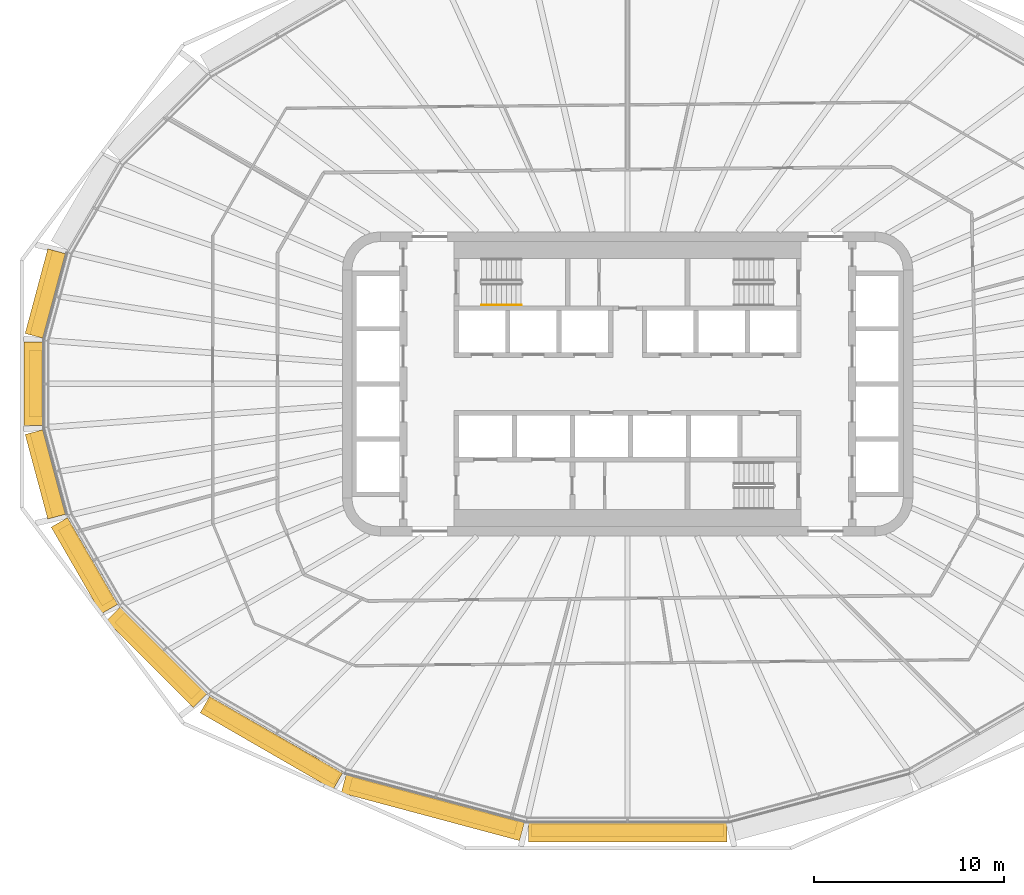
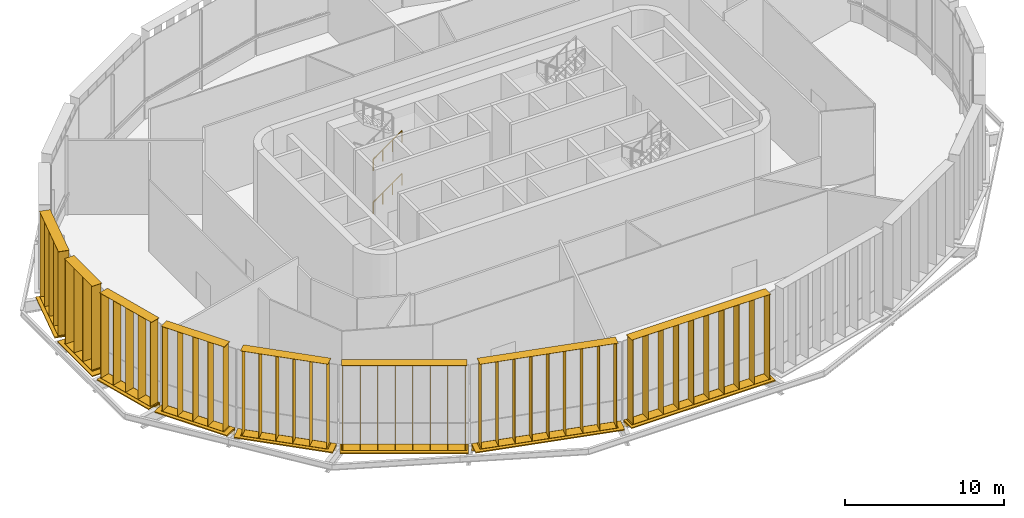
# One storey, part 14 of 18: 16 shading devices, 2 railings.
"""IFC4 building model written with IfcOpenShell, lengths in metres."""

from ifc_helpers import new_model, si_unit, direction, frame, origin, origin_2d, place, context, subcontext, project, spatial, rectangle, circle, extrude, material, type_object, element, save


model = new_model("IFC4")

# Units and contexts
model_context = context("Model", 3, precision=1e-05, world=origin(), true_north=direction((0.0, 1.0)))
body_context = subcontext(model_context, "Body", "Model", "MODEL_VIEW")
ifc_project = project(units=[si_unit("LENGTHUNIT", "METRE"), si_unit("AREAUNIT", "SQUARE_METRE"), si_unit("VOLUMEUNIT", "CUBIC_METRE"), si_unit("PLANEANGLEUNIT", "RADIAN"), si_unit("MASSUNIT", "GRAM", prefix="KILO")], contexts=[model_context])

# Site, building, storey
site_placement = place(None, origin())
site = spatial("IfcSite", under=ifc_project, at=site_placement, CompositionType="ELEMENT")
building_placement = place(site_placement, origin())
building = spatial("IfcBuilding", under=site, at=building_placement, Name="Sahrelin Media Tower", CompositionType="ELEMENT")
storey_placement = place(building_placement, frame((0.0, 0.0, 203.0)))
storey = spatial("IfcBuildingStorey", under=building, at=storey_placement, Name="L43", CompositionType="ELEMENT", Elevation=203.0)

# Shading devices
ifc_material_1 = material(Name="Champagne anodised aluminium 6063-T6", Category="aluminium")
shading_device_type_1 = type_object("IfcShadingDeviceType", Name="Fin cassette", PredefinedType="USERDEFINED", material=ifc_material_1)
placement_1 = place(storey_placement, frame((-30.091796875, 4.613525390625, 0.0), z_axis=(0.0, 0.0, 1.0), x_axis=(0.258807731996, 0.965928857556, 0.0)))
element("IfcShadingDevice", 1, at=placement_1, inside=storey, type_object=shading_device_type_1, Name="L43:FIN:L43-11", ObjectType="FIN", PredefinedType="USERDEFINED", context=body_context, shape_type="SweptSolid", body=[
    extrude(rectangle(XDim=4.60009765625, YDim=0.699951171875, at=origin_2d()), frame((0.0, 0.419921875, 0.0)), (0.0, 0.0, 1.0), 0.02001953125),
    extrude(rectangle(XDim=4.60009765625, YDim=0.699951171875, at=origin_2d()), frame((0.0, 0.419921875, 6.5)), (0.0, 0.0, 1.0), 0.02001953125),
    extrude(rectangle(XDim=0.02001953125, YDim=0.699951171875, at=origin_2d()), frame((-2.199951171875, 0.419921875, 0.010009765625), z_axis=(0.0, 0.0, 1.0), x_axis=(1.0, 0.0, 0.0)), (0.0, 0.0, 1.0), 6.5),
    extrude(rectangle(XDim=0.02001953125, YDim=0.699951171875, at=origin_2d()), frame((-1.10009765625, 0.419921875, 0.010009765625), z_axis=(0.0, 0.0, 1.0), x_axis=(1.0, 0.0, 0.0)), (0.0, 0.0, 1.0), 6.5),
    extrude(rectangle(XDim=0.02001953125, YDim=0.699951171875, at=origin_2d()), frame((0.0, 0.419921875, 0.010009765625), z_axis=(0.0, 0.0, 1.0), x_axis=(1.0, 0.0, 0.0)), (0.0, 0.0, 1.0), 6.5),
    extrude(rectangle(XDim=0.02001953125, YDim=0.699951171875, at=origin_2d()), frame((1.10009765625, 0.419921875, 0.010009765625), z_axis=(0.0, 0.0, 1.0), x_axis=(1.0, 0.0, 0.0)), (0.0, 0.0, 1.0), 6.5),
    extrude(rectangle(XDim=0.02001953125, YDim=0.699951171875, at=origin_2d()), frame((2.199951171875, 0.419921875, 0.010009765625), z_axis=(0.0, 0.0, 1.0), x_axis=(1.0, 0.0, 0.0)), (0.0, 0.0, 1.0), 6.5),
])
placement_2 = place(storey_placement, frame((-30.712890625, 0.0, 0.0), z_axis=(0.0, 0.0, 1.0), x_axis=(0.0, 1.0, 0.0)))
element("IfcShadingDevice", 2, at=placement_2, inside=storey, type_object=shading_device_type_1, Name="L43:FIN:L43-12", ObjectType="FIN", PredefinedType="USERDEFINED", context=body_context, shape_type="SweptSolid", body=[
    extrude(rectangle(XDim=3.5, YDim=0.699951171875, at=origin_2d()), frame((0.0, 0.419921875, 0.0)), (0.0, 0.0, 1.0), 0.02001953125),
    extrude(rectangle(XDim=3.5, YDim=0.699951171875, at=origin_2d()), frame((0.0, 0.419921875, 6.5)), (0.0, 0.0, 1.0), 0.02001953125),
    extrude(rectangle(XDim=0.02001953125, YDim=0.699951171875, at=origin_2d()), frame((-1.64990234375, 0.419921875, 0.010009765625), z_axis=(0.0, 0.0, 1.0), x_axis=(1.0, 0.0, 0.0)), (0.0, 0.0, 1.0), 6.5),
    extrude(rectangle(XDim=0.02001953125, YDim=0.699951171875, at=origin_2d()), frame((-0.550048828125, 0.419921875, 0.010009765625), z_axis=(0.0, 0.0, 1.0), x_axis=(1.0, 0.0, 0.0)), (0.0, 0.0, 1.0), 6.5),
    extrude(rectangle(XDim=0.02001953125, YDim=0.699951171875, at=origin_2d()), frame((0.550048828125, 0.419921875, 0.010009765625), z_axis=(0.0, 0.0, 1.0), x_axis=(1.0, 0.0, 0.0)), (0.0, 0.0, 1.0), 6.5),
    extrude(rectangle(XDim=0.02001953125, YDim=0.699951171875, at=origin_2d()), frame((1.64990234375, 0.419921875, 0.010009765625), z_axis=(0.0, 0.0, 1.0), x_axis=(1.0, 0.0, 0.0)), (0.0, 0.0, 1.0), 6.5),
])
placement_3 = place(storey_placement, frame((-30.091796875, -4.613525390625, 0.0), z_axis=(0.0, 0.0, 1.0), x_axis=(-0.258807731996, 0.965928857556, 0.0)))
element("IfcShadingDevice", 3, at=placement_3, inside=storey, type_object=shading_device_type_1, Name="L43:FIN:L43-13", ObjectType="FIN", PredefinedType="USERDEFINED", context=body_context, shape_type="SweptSolid", body=[
    extrude(rectangle(XDim=4.60009765625, YDim=0.699951171875, at=origin_2d()), frame((0.0, 0.419921875, 0.0)), (0.0, 0.0, 1.0), 0.02001953125),
    extrude(rectangle(XDim=4.60009765625, YDim=0.699951171875, at=origin_2d()), frame((0.0, 0.419921875, 6.5)), (0.0, 0.0, 1.0), 0.02001953125),
    extrude(rectangle(XDim=0.02001953125, YDim=0.699951171875, at=origin_2d()), frame((-2.199951171875, 0.419921875, 0.010009765625), z_axis=(0.0, 0.0, 1.0), x_axis=(1.0, 0.0, 0.0)), (0.0, 0.0, 1.0), 6.5),
    extrude(rectangle(XDim=0.02001953125, YDim=0.699951171875, at=origin_2d()), frame((-1.10009765625, 0.419921875, 0.010009765625), z_axis=(0.0, 0.0, 1.0), x_axis=(1.0, 0.0, 0.0)), (0.0, 0.0, 1.0), 6.5),
    extrude(rectangle(XDim=0.02001953125, YDim=0.699951171875, at=origin_2d()), frame((0.0, 0.419921875, 0.010009765625), z_axis=(0.0, 0.0, 1.0), x_axis=(1.0, 0.0, 0.0)), (0.0, 0.0, 1.0), 6.5),
    extrude(rectangle(XDim=0.02001953125, YDim=0.699951171875, at=origin_2d()), frame((1.10009765625, 0.419921875, 0.010009765625), z_axis=(0.0, 0.0, 1.0), x_axis=(1.0, 0.0, 0.0)), (0.0, 0.0, 1.0), 6.5),
    extrude(rectangle(XDim=0.02001953125, YDim=0.699951171875, at=origin_2d()), frame((2.199951171875, 0.419921875, 0.010009765625), z_axis=(0.0, 0.0, 1.0), x_axis=(1.0, 0.0, 0.0)), (0.0, 0.0, 1.0), 6.5),
])
placement_4 = place(storey_placement, frame((-28.10498046875, -9.297119140625, 0.0), z_axis=(0.0, 0.0, 1.0), x_axis=(-0.500011000363, 0.866019052629, 0.0)))
element("IfcShadingDevice", 4, at=placement_4, inside=storey, type_object=shading_device_type_1, Name="L43:FIN:L43-14", ObjectType="FIN", PredefinedType="USERDEFINED", context=body_context, shape_type="SweptSolid", body=[
    extrude(rectangle(XDim=4.60009765625, YDim=0.699951171875, at=origin_2d()), frame((0.0, 0.419921875, 0.0)), (0.0, 0.0, 1.0), 0.02001953125),
    extrude(rectangle(XDim=4.60009765625, YDim=0.699951171875, at=origin_2d()), frame((0.0, 0.419921875, 6.5)), (0.0, 0.0, 1.0), 0.02001953125),
    extrude(rectangle(XDim=0.02001953125, YDim=0.699951171875, at=origin_2d()), frame((-2.199951171875, 0.419921875, 0.010009765625), z_axis=(0.0, 0.0, 1.0), x_axis=(1.0, 0.0, 0.0)), (0.0, 0.0, 1.0), 6.5),
    extrude(rectangle(XDim=0.02001953125, YDim=0.699951171875, at=origin_2d()), frame((-1.10009765625, 0.419921875, 0.010009765625), z_axis=(0.0, 0.0, 1.0), x_axis=(1.0, 0.0, 0.0)), (0.0, 0.0, 1.0), 6.5),
    extrude(rectangle(XDim=0.02001953125, YDim=0.699951171875, at=origin_2d()), frame((0.0, 0.419921875, 0.010009765625), z_axis=(0.0, 0.0, 1.0), x_axis=(1.0, 0.0, 0.0)), (0.0, 0.0, 1.0), 6.5),
    extrude(rectangle(XDim=0.02001953125, YDim=0.699951171875, at=origin_2d()), frame((1.10009765625, 0.419921875, 0.010009765625), z_axis=(0.0, 0.0, 1.0), x_axis=(1.0, 0.0, 0.0)), (0.0, 0.0, 1.0), 6.5),
    extrude(rectangle(XDim=0.02001953125, YDim=0.699951171875, at=origin_2d()), frame((2.199951171875, 0.419921875, 0.010009765625), z_axis=(0.0, 0.0, 1.0), x_axis=(1.0, 0.0, 0.0)), (0.0, 0.0, 1.0), 6.5),
])
placement_5 = place(storey_placement, frame((-24.3935546875, -14.00830078125, 0.0), z_axis=(0.0, 0.0, 1.0), x_axis=(-0.707106781187, 0.707106781187, 0.0)))
element("IfcShadingDevice", 5, at=placement_5, inside=storey, type_object=shading_device_type_1, Name="L43:FIN:L43-15", ObjectType="FIN", PredefinedType="USERDEFINED", context=body_context, shape_type="SweptSolid", body=[
    extrude(rectangle(XDim=5.699951171875, YDim=0.699951171875, at=origin_2d()), frame((0.0, 0.419921875, 0.0)), (0.0, 0.0, 1.0), 0.02001953125),
    extrude(rectangle(XDim=5.699951171875, YDim=0.699951171875, at=origin_2d()), frame((0.0, 0.419921875, 6.5)), (0.0, 0.0, 1.0), 0.02001953125),
    extrude(rectangle(XDim=0.02001953125, YDim=0.699951171875, at=origin_2d()), frame((-2.75, 0.419921875, 0.010009765625), z_axis=(0.0, 0.0, 1.0), x_axis=(1.0, 0.0, 0.0)), (0.0, 0.0, 1.0), 6.5),
    extrude(rectangle(XDim=0.02001953125, YDim=0.699951171875, at=origin_2d()), frame((-1.64990234375, 0.419921875, 0.010009765625), z_axis=(0.0, 0.0, 1.0), x_axis=(1.0, 0.0, 0.0)), (0.0, 0.0, 1.0), 6.5),
    extrude(rectangle(XDim=0.02001953125, YDim=0.699951171875, at=origin_2d()), frame((-0.550048828125, 0.419921875, 0.010009765625), z_axis=(0.0, 0.0, 1.0), x_axis=(1.0, 0.0, 0.0)), (0.0, 0.0, 1.0), 6.5),
    extrude(rectangle(XDim=0.02001953125, YDim=0.699951171875, at=origin_2d()), frame((0.550048828125, 0.419921875, 0.010009765625), z_axis=(0.0, 0.0, 1.0), x_axis=(1.0, 0.0, 0.0)), (0.0, 0.0, 1.0), 6.5),
    extrude(rectangle(XDim=0.02001953125, YDim=0.699951171875, at=origin_2d()), frame((1.64990234375, 0.419921875, 0.010009765625), z_axis=(0.0, 0.0, 1.0), x_axis=(1.0, 0.0, 0.0)), (0.0, 0.0, 1.0), 6.5),
    extrude(rectangle(XDim=0.02001953125, YDim=0.699951171875, at=origin_2d()), frame((2.75, 0.419921875, 0.010009765625), z_axis=(0.0, 0.0, 1.0), x_axis=(1.0, 0.0, 0.0)), (0.0, 0.0, 1.0), 6.5),
])
placement_6 = place(storey_placement, frame((-18.46728515625, -18.421142578125, 0.0), z_axis=(0.0, 0.0, 1.0), x_axis=(-0.866019052629, 0.500011000363, 0.0)))
element("IfcShadingDevice", 6, at=placement_6, inside=storey, type_object=shading_device_type_1, Name="L43:FIN:L43-16", ObjectType="FIN", PredefinedType="USERDEFINED", context=body_context, shape_type="SweptSolid", body=[
    extrude(rectangle(XDim=7.89990234375, YDim=0.699951171875, at=origin_2d()), frame((0.0, 0.419921875, 0.0)), (0.0, 0.0, 1.0), 0.02001953125),
    extrude(rectangle(XDim=7.89990234375, YDim=0.699951171875, at=origin_2d()), frame((0.0, 0.419921875, 6.5)), (0.0, 0.0, 1.0), 0.02001953125),
    extrude(rectangle(XDim=0.02001953125, YDim=0.699951171875, at=origin_2d()), frame((-3.85009765625, 0.419921875, 0.010009765625), z_axis=(0.0, 0.0, 1.0), x_axis=(1.0, 0.0, 0.0)), (0.0, 0.0, 1.0), 6.5),
    extrude(rectangle(XDim=0.02001953125, YDim=0.699951171875, at=origin_2d()), frame((-2.75, 0.419921875, 0.010009765625), z_axis=(0.0, 0.0, 1.0), x_axis=(1.0, 0.0, 0.0)), (0.0, 0.0, 1.0), 6.5),
    extrude(rectangle(XDim=0.02001953125, YDim=0.699951171875, at=origin_2d()), frame((-1.64990234375, 0.419921875, 0.010009765625), z_axis=(0.0, 0.0, 1.0), x_axis=(1.0, 0.0, 0.0)), (0.0, 0.0, 1.0), 6.5),
    extrude(rectangle(XDim=0.02001953125, YDim=0.699951171875, at=origin_2d()), frame((-0.550048828125, 0.419921875, 0.010009765625), z_axis=(0.0, 0.0, 1.0), x_axis=(1.0, 0.0, 0.0)), (0.0, 0.0, 1.0), 6.5),
    extrude(rectangle(XDim=0.02001953125, YDim=0.699951171875, at=origin_2d()), frame((0.550048828125, 0.419921875, 0.010009765625), z_axis=(0.0, 0.0, 1.0), x_axis=(1.0, 0.0, 0.0)), (0.0, 0.0, 1.0), 6.5),
    extrude(rectangle(XDim=0.02001953125, YDim=0.699951171875, at=origin_2d()), frame((1.64990234375, 0.419921875, 0.010009765625), z_axis=(0.0, 0.0, 1.0), x_axis=(1.0, 0.0, 0.0)), (0.0, 0.0, 1.0), 6.5),
    extrude(rectangle(XDim=0.02001953125, YDim=0.699951171875, at=origin_2d()), frame((2.75, 0.419921875, 0.010009765625), z_axis=(0.0, 0.0, 1.0), x_axis=(1.0, 0.0, 0.0)), (0.0, 0.0, 1.0), 6.5),
    extrude(rectangle(XDim=0.02001953125, YDim=0.699951171875, at=origin_2d()), frame((3.85009765625, 0.419921875, 0.010009765625), z_axis=(0.0, 0.0, 1.0), x_axis=(1.0, 0.0, 0.0)), (0.0, 0.0, 1.0), 6.5),
])
placement_7 = place(storey_placement, frame((-10.102294921875, -21.770263671875, 0.0), z_axis=(0.0, 0.0, 1.0), x_axis=(-0.965928857556, 0.258807731996, 0.0)))
element("IfcShadingDevice", 7, at=placement_7, inside=storey, type_object=shading_device_type_1, Name="L43:FIN:L43-17", ObjectType="FIN", PredefinedType="USERDEFINED", context=body_context, shape_type="SweptSolid", body=[
    extrude(rectangle(XDim=9.0, YDim=0.699951171875, at=origin_2d()), frame((0.0, 0.419921875, 0.0)), (0.0, 0.0, 1.0), 0.02001953125),
    extrude(rectangle(XDim=9.0, YDim=0.699951171875, at=origin_2d()), frame((0.0, 0.419921875, 6.5)), (0.0, 0.0, 1.0), 0.02001953125),
    extrude(rectangle(XDim=0.02001953125, YDim=0.699951171875, at=origin_2d()), frame((-4.39990234375, 0.419921875, 0.010009765625), z_axis=(0.0, 0.0, 1.0), x_axis=(1.0, 0.0, 0.0)), (0.0, 0.0, 1.0), 6.5),
    extrude(rectangle(XDim=0.02001953125, YDim=0.699951171875, at=origin_2d()), frame((-3.300048828125, 0.419921875, 0.010009765625), z_axis=(0.0, 0.0, 1.0), x_axis=(1.0, 0.0, 0.0)), (0.0, 0.0, 1.0), 6.5),
    extrude(rectangle(XDim=0.02001953125, YDim=0.699951171875, at=origin_2d()), frame((-2.199951171875, 0.419921875, 0.010009765625), z_axis=(0.0, 0.0, 1.0), x_axis=(1.0, 0.0, 0.0)), (0.0, 0.0, 1.0), 6.5),
    extrude(rectangle(XDim=0.02001953125, YDim=0.699951171875, at=origin_2d()), frame((-1.10009765625, 0.419921875, 0.010009765625), z_axis=(0.0, 0.0, 1.0), x_axis=(1.0, 0.0, 0.0)), (0.0, 0.0, 1.0), 6.5),
    extrude(rectangle(XDim=0.02001953125, YDim=0.699951171875, at=origin_2d()), frame((0.0, 0.419921875, 0.010009765625), z_axis=(0.0, 0.0, 1.0), x_axis=(1.0, 0.0, 0.0)), (0.0, 0.0, 1.0), 6.5),
    extrude(rectangle(XDim=0.02001953125, YDim=0.699951171875, at=origin_2d()), frame((1.10009765625, 0.419921875, 0.010009765625), z_axis=(0.0, 0.0, 1.0), x_axis=(1.0, 0.0, 0.0)), (0.0, 0.0, 1.0), 6.5),
    extrude(rectangle(XDim=0.02001953125, YDim=0.699951171875, at=origin_2d()), frame((2.199951171875, 0.419921875, 0.010009765625), z_axis=(0.0, 0.0, 1.0), x_axis=(1.0, 0.0, 0.0)), (0.0, 0.0, 1.0), 6.5),
    extrude(rectangle(XDim=0.02001953125, YDim=0.699951171875, at=origin_2d()), frame((3.300048828125, 0.419921875, 0.010009765625), z_axis=(0.0, 0.0, 1.0), x_axis=(1.0, 0.0, 0.0)), (0.0, 0.0, 1.0), 6.5),
    extrude(rectangle(XDim=0.02001953125, YDim=0.699951171875, at=origin_2d()), frame((4.39990234375, 0.419921875, 0.010009765625), z_axis=(0.0, 0.0, 1.0), x_axis=(1.0, 0.0, 0.0)), (0.0, 0.0, 1.0), 6.5),
])
placement_8 = place(storey_placement, frame((0.0, -23.052490234375, 0.0), z_axis=(0.0, 0.0, 1.0), x_axis=(-1.0, 0.0, 0.0)))
element("IfcShadingDevice", 8, at=placement_8, inside=storey, type_object=shading_device_type_1, Name="L43:FIN:L43-18", ObjectType="FIN", PredefinedType="USERDEFINED", context=body_context, shape_type="SweptSolid", body=[
    extrude(rectangle(XDim=10.10009765625, YDim=0.699951171875, at=origin_2d()), frame((0.0, 0.419921875, 0.0)), (0.0, 0.0, 1.0), 0.02001953125),
    extrude(rectangle(XDim=10.10009765625, YDim=0.699951171875, at=origin_2d()), frame((0.0, 0.419921875, 6.5)), (0.0, 0.0, 1.0), 0.02001953125),
    extrude(rectangle(XDim=0.02001953125, YDim=0.699951171875, at=origin_2d()), frame((-4.949951171875, 0.419921875, 0.010009765625), z_axis=(0.0, 0.0, 1.0), x_axis=(1.0, 0.0, 0.0)), (0.0, 0.0, 1.0), 6.5),
    extrude(rectangle(XDim=0.02001953125, YDim=0.699951171875, at=origin_2d()), frame((-3.85009765625, 0.419921875, 0.010009765625), z_axis=(0.0, 0.0, 1.0), x_axis=(1.0, 0.0, 0.0)), (0.0, 0.0, 1.0), 6.5),
    extrude(rectangle(XDim=0.02001953125, YDim=0.699951171875, at=origin_2d()), frame((-2.75, 0.419921875, 0.010009765625), z_axis=(0.0, 0.0, 1.0), x_axis=(1.0, 0.0, 0.0)), (0.0, 0.0, 1.0), 6.5),
    extrude(rectangle(XDim=0.02001953125, YDim=0.699951171875, at=origin_2d()), frame((-1.64990234375, 0.419921875, 0.010009765625), z_axis=(0.0, 0.0, 1.0), x_axis=(1.0, 0.0, 0.0)), (0.0, 0.0, 1.0), 6.5),
    extrude(rectangle(XDim=0.02001953125, YDim=0.699951171875, at=origin_2d()), frame((-0.550048828125, 0.419921875, 0.010009765625), z_axis=(0.0, 0.0, 1.0), x_axis=(1.0, 0.0, 0.0)), (0.0, 0.0, 1.0), 6.5),
    extrude(rectangle(XDim=0.02001953125, YDim=0.699951171875, at=origin_2d()), frame((0.550048828125, 0.419921875, 0.010009765625), z_axis=(0.0, 0.0, 1.0), x_axis=(1.0, 0.0, 0.0)), (0.0, 0.0, 1.0), 6.5),
    extrude(rectangle(XDim=0.02001953125, YDim=0.699951171875, at=origin_2d()), frame((1.64990234375, 0.419921875, 0.010009765625), z_axis=(0.0, 0.0, 1.0), x_axis=(1.0, 0.0, 0.0)), (0.0, 0.0, 1.0), 6.5),
    extrude(rectangle(XDim=0.02001953125, YDim=0.699951171875, at=origin_2d()), frame((2.75, 0.419921875, 0.010009765625), z_axis=(0.0, 0.0, 1.0), x_axis=(1.0, 0.0, 0.0)), (0.0, 0.0, 1.0), 6.5),
    extrude(rectangle(XDim=0.02001953125, YDim=0.699951171875, at=origin_2d()), frame((3.85009765625, 0.419921875, 0.010009765625), z_axis=(0.0, 0.0, 1.0), x_axis=(1.0, 0.0, 0.0)), (0.0, 0.0, 1.0), 6.5),
    extrude(rectangle(XDim=0.02001953125, YDim=0.699951171875, at=origin_2d()), frame((4.949951171875, 0.419921875, 0.010009765625), z_axis=(0.0, 0.0, 1.0), x_axis=(1.0, 0.0, 0.0)), (0.0, 0.0, 1.0), 6.5),
])

# Railings
ifc_material_2 = material(Name="Steel S355", Category="steel")
railing_type = type_object("IfcRailingType", Name="Stair handrail 900", PredefinedType="HANDRAIL", material=ifc_material_2)
for number, where, name in (
    (9, (-7.675048828125, 4.14990234375, 0.183349609375), "L43 ST1 stair handrail 1"),
    (10, (-7.675048828125, 4.14990234375, 3.4833984375), "L43 ST1 stair handrail 3"),
):
    element("IfcRailing", number, at=place(storey_placement, frame(where)), inside=storey, type_object=railing_type, Name=name, PredefinedType="HANDRAIL", context=body_context, shape_type="SweptSolid", body=[
        extrude(circle(Radius=0.02392578125, at=origin_2d()), frame((0.0, 0.0, 0.8759765625), z_axis=(0.817289409456, 0.0, 0.576227404061), x_axis=(0.0, 1.0, 0.0)), (0.0, 0.0, 1.0), 2.545166015625),
        extrude(circle(Radius=0.02099609375, at=origin_2d()), origin(), (0.0, 0.0, 1.0), 0.851806640625),
        extrude(circle(Radius=0.02099609375, at=origin_2d()), frame((0.693359375, 0.0, 0.48876953125)), (0.0, 0.0, 1.0), 0.851806640625),
        extrude(circle(Radius=0.02099609375, at=origin_2d()), frame((1.38671875, 0.0, 0.977783203125)), (0.0, 0.0, 1.0), 0.851806640625),
        extrude(circle(Radius=0.02099609375, at=origin_2d()), frame((2.080078125, 0.0, 1.466552734375)), (0.0, 0.0, 1.0), 0.851806640625),
    ])

# Shading devices
shading_device_type_2 = type_object("IfcShadingDeviceType", Name="Sunshade band", PredefinedType="USERDEFINED", material=ifc_material_1)
element("IfcShadingDevice", 11, at=placement_1, inside=storey, type_object=shading_device_type_2, Name="L43:SUN:L43-11", ObjectType="SUNSHADE", PredefinedType="USERDEFINED", context=body_context, shape_type="SweptSolid", body=[
    extrude(rectangle(XDim=4.6005859375, YDim=0.050048828125, at=origin_2d()), frame((0.0, 0.044921875, -0.55126953125)), (0.0, 0.0, 1.0), 0.471435546875),
    extrude(rectangle(XDim=4.6005859375, YDim=1.0, at=origin_2d()), frame((0.0, 0.52001953125, -0.080078125)), (0.0, 0.0, 1.0), 0.080078125),
    extrude(rectangle(XDim=0.10009765625, YDim=0.074951171875, at=origin_2d()), frame((-2.2001953125, -0.017578125, -0.52001953125)), (0.0, 0.0, 1.0), 0.300048828125),
    extrude(rectangle(XDim=0.10009765625, YDim=0.074951171875, at=origin_2d()), frame((-0.7333984375, -0.017578125, -0.52001953125)), (0.0, 0.0, 1.0), 0.300048828125),
    extrude(rectangle(XDim=0.10009765625, YDim=0.074951171875, at=origin_2d()), frame((0.7333984375, -0.017578125, -0.52001953125)), (0.0, 0.0, 1.0), 0.300048828125),
    extrude(rectangle(XDim=0.10009765625, YDim=0.074951171875, at=origin_2d()), frame((2.2001953125, -0.017578125, -0.52001953125)), (0.0, 0.0, 1.0), 0.300048828125),
])
element("IfcShadingDevice", 12, at=placement_2, inside=storey, type_object=shading_device_type_2, Name="L43:SUN:L43-12", ObjectType="SUNSHADE", PredefinedType="USERDEFINED", context=body_context, shape_type="SweptSolid", body=[
    extrude(rectangle(XDim=4.39013671875, YDim=0.050048828125, at=origin_2d()), frame((0.0, 0.044921875, -0.55126953125)), (0.0, 0.0, 1.0), 0.471435546875),
    extrude(rectangle(XDim=4.39013671875, YDim=1.0, at=origin_2d()), frame((0.0, 0.52001953125, -0.080078125)), (0.0, 0.0, 1.0), 0.080078125),
    extrude(rectangle(XDim=0.10009765625, YDim=0.074951171875, at=origin_2d()), frame((-2.09521484375, -0.017578125, -0.52001953125)), (0.0, 0.0, 1.0), 0.300048828125),
    extrude(rectangle(XDim=0.10009765625, YDim=0.074951171875, at=origin_2d()), frame((-0.698486328125, -0.017578125, -0.52001953125)), (0.0, 0.0, 1.0), 0.300048828125),
    extrude(rectangle(XDim=0.10009765625, YDim=0.074951171875, at=origin_2d()), frame((0.698486328125, -0.017578125, -0.52001953125)), (0.0, 0.0, 1.0), 0.300048828125),
    extrude(rectangle(XDim=0.10009765625, YDim=0.074951171875, at=origin_2d()), frame((2.09521484375, -0.017578125, -0.52001953125)), (0.0, 0.0, 1.0), 0.300048828125),
])
element("IfcShadingDevice", 13, at=placement_3, inside=storey, type_object=shading_device_type_2, Name="L43:SUN:L43-13", ObjectType="SUNSHADE", PredefinedType="USERDEFINED", context=body_context, shape_type="SweptSolid", body=[
    extrude(rectangle(XDim=4.6005859375, YDim=0.050048828125, at=origin_2d()), frame((0.0, 0.044921875, -0.55126953125)), (0.0, 0.0, 1.0), 0.471435546875),
    extrude(rectangle(XDim=4.6005859375, YDim=1.0, at=origin_2d()), frame((0.0, 0.52001953125, -0.080078125)), (0.0, 0.0, 1.0), 0.080078125),
    extrude(rectangle(XDim=0.10009765625, YDim=0.074951171875, at=origin_2d()), frame((-2.2001953125, -0.017578125, -0.52001953125)), (0.0, 0.0, 1.0), 0.300048828125),
    extrude(rectangle(XDim=0.10009765625, YDim=0.074951171875, at=origin_2d()), frame((-0.7333984375, -0.017578125, -0.52001953125)), (0.0, 0.0, 1.0), 0.300048828125),
    extrude(rectangle(XDim=0.10009765625, YDim=0.074951171875, at=origin_2d()), frame((0.7333984375, -0.017578125, -0.52001953125)), (0.0, 0.0, 1.0), 0.300048828125),
    extrude(rectangle(XDim=0.10009765625, YDim=0.074951171875, at=origin_2d()), frame((2.2001953125, -0.017578125, -0.52001953125)), (0.0, 0.0, 1.0), 0.300048828125),
])
element("IfcShadingDevice", 14, at=placement_4, inside=storey, type_object=shading_device_type_2, Name="L43:SUN:L43-14", ObjectType="SUNSHADE", PredefinedType="USERDEFINED", context=body_context, shape_type="SweptSolid", body=[
    extrude(rectangle(XDim=5.261962890625, YDim=0.050048828125, at=origin_2d()), frame((0.0, 0.044921875, -0.55126953125)), (0.0, 0.0, 1.0), 0.471435546875),
    extrude(rectangle(XDim=5.261962890625, YDim=1.0, at=origin_2d()), frame((0.0, 0.52001953125, -0.080078125)), (0.0, 0.0, 1.0), 0.080078125),
    extrude(rectangle(XDim=0.10009765625, YDim=0.074951171875, at=origin_2d()), frame((-2.531005859375, -0.017578125, -0.52001953125)), (0.0, 0.0, 1.0), 0.300048828125),
    extrude(rectangle(XDim=0.10009765625, YDim=0.074951171875, at=origin_2d()), frame((-0.84375, -0.017578125, -0.52001953125)), (0.0, 0.0, 1.0), 0.300048828125),
    extrude(rectangle(XDim=0.10009765625, YDim=0.074951171875, at=origin_2d()), frame((0.84375, -0.017578125, -0.52001953125)), (0.0, 0.0, 1.0), 0.300048828125),
    extrude(rectangle(XDim=0.10009765625, YDim=0.074951171875, at=origin_2d()), frame((2.531005859375, -0.017578125, -0.52001953125)), (0.0, 0.0, 1.0), 0.300048828125),
])
element("IfcShadingDevice", 15, at=placement_5, inside=storey, type_object=shading_device_type_2, Name="L43:SUN:L43-15", ObjectType="SUNSHADE", PredefinedType="USERDEFINED", context=body_context, shape_type="SweptSolid", body=[
    extrude(rectangle(XDim=6.435302734375, YDim=0.050048828125, at=origin_2d()), frame((0.0, 0.044921875, -0.55126953125)), (0.0, 0.0, 1.0), 0.471435546875),
    extrude(rectangle(XDim=6.435302734375, YDim=1.0, at=origin_2d()), frame((0.0, 0.52001953125, -0.080078125)), (0.0, 0.0, 1.0), 0.080078125),
    extrude(rectangle(XDim=0.10009765625, YDim=0.074951171875, at=origin_2d()), frame((-3.11767578125, -0.017578125, -0.52001953125)), (0.0, 0.0, 1.0), 0.300048828125),
    extrude(rectangle(XDim=0.10009765625, YDim=0.074951171875, at=origin_2d()), frame((-1.558837890625, -0.017578125, -0.52001953125)), (0.0, 0.0, 1.0), 0.300048828125),
    extrude(rectangle(XDim=0.10009765625, YDim=0.074951171875, at=origin_2d()), frame((0.0, -0.017578125, -0.52001953125)), (0.0, 0.0, 1.0), 0.300048828125),
    extrude(rectangle(XDim=0.10009765625, YDim=0.074951171875, at=origin_2d()), frame((1.558837890625, -0.017578125, -0.52001953125)), (0.0, 0.0, 1.0), 0.300048828125),
    extrude(rectangle(XDim=0.10009765625, YDim=0.074951171875, at=origin_2d()), frame((3.11767578125, -0.017578125, -0.52001953125)), (0.0, 0.0, 1.0), 0.300048828125),
])
element("IfcShadingDevice", 16, at=placement_6, inside=storey, type_object=shading_device_type_2, Name="L43:SUN:L43-16", ObjectType="SUNSHADE", PredefinedType="USERDEFINED", context=body_context, shape_type="SweptSolid", body=[
    extrude(rectangle(XDim=8.068359375, YDim=0.050048828125, at=origin_2d()), frame((0.0, 0.044921875, -0.55126953125)), (0.0, 0.0, 1.0), 0.471435546875),
    extrude(rectangle(XDim=8.068359375, YDim=1.0, at=origin_2d()), frame((0.0, 0.52001953125, -0.080078125)), (0.0, 0.0, 1.0), 0.080078125),
    extrude(rectangle(XDim=0.10009765625, YDim=0.074951171875, at=origin_2d()), frame((-3.93408203125, -0.017578125, -0.52001953125)), (0.0, 0.0, 1.0), 0.300048828125),
    extrude(rectangle(XDim=0.10009765625, YDim=0.074951171875, at=origin_2d()), frame((-2.360595703125, -0.017578125, -0.52001953125)), (0.0, 0.0, 1.0), 0.300048828125),
    extrude(rectangle(XDim=0.10009765625, YDim=0.074951171875, at=origin_2d()), frame((-0.786865234375, -0.017578125, -0.52001953125)), (0.0, 0.0, 1.0), 0.300048828125),
    extrude(rectangle(XDim=0.10009765625, YDim=0.074951171875, at=origin_2d()), frame((0.786865234375, -0.017578125, -0.52001953125)), (0.0, 0.0, 1.0), 0.300048828125),
    extrude(rectangle(XDim=0.10009765625, YDim=0.074951171875, at=origin_2d()), frame((2.360595703125, -0.017578125, -0.52001953125)), (0.0, 0.0, 1.0), 0.300048828125),
    extrude(rectangle(XDim=0.10009765625, YDim=0.074951171875, at=origin_2d()), frame((3.93408203125, -0.017578125, -0.52001953125)), (0.0, 0.0, 1.0), 0.300048828125),
])
element("IfcShadingDevice", 17, at=placement_7, inside=storey, type_object=shading_device_type_2, Name="L43:SUN:L43-17", ObjectType="SUNSHADE", PredefinedType="USERDEFINED", context=body_context, shape_type="SweptSolid", body=[
    extrude(rectangle(XDim=9.706787109375, YDim=0.050048828125, at=origin_2d()), frame((0.0, 0.044921875, -0.55126953125)), (0.0, 0.0, 1.0), 0.471435546875),
    extrude(rectangle(XDim=9.706787109375, YDim=1.0, at=origin_2d()), frame((0.0, 0.52001953125, -0.080078125)), (0.0, 0.0, 1.0), 0.080078125),
    extrude(rectangle(XDim=0.10009765625, YDim=0.074951171875, at=origin_2d()), frame((-4.75341796875, -0.017578125, -0.52001953125)), (0.0, 0.0, 1.0), 0.300048828125),
    extrude(rectangle(XDim=0.10009765625, YDim=0.074951171875, at=origin_2d()), frame((-2.85205078125, -0.017578125, -0.52001953125)), (0.0, 0.0, 1.0), 0.300048828125),
    extrude(rectangle(XDim=0.10009765625, YDim=0.074951171875, at=origin_2d()), frame((-0.95068359375, -0.017578125, -0.52001953125)), (0.0, 0.0, 1.0), 0.300048828125),
    extrude(rectangle(XDim=0.10009765625, YDim=0.074951171875, at=origin_2d()), frame((0.95068359375, -0.017578125, -0.52001953125)), (0.0, 0.0, 1.0), 0.300048828125),
    extrude(rectangle(XDim=0.10009765625, YDim=0.074951171875, at=origin_2d()), frame((2.85205078125, -0.017578125, -0.52001953125)), (0.0, 0.0, 1.0), 0.300048828125),
    extrude(rectangle(XDim=0.10009765625, YDim=0.074951171875, at=origin_2d()), frame((4.75341796875, -0.017578125, -0.52001953125)), (0.0, 0.0, 1.0), 0.300048828125),
])
element("IfcShadingDevice", 18, at=placement_8, inside=storey, type_object=shading_device_type_2, Name="L43:SUN:L43-18", ObjectType="SUNSHADE", PredefinedType="USERDEFINED", context=body_context, shape_type="SweptSolid", body=[
    extrude(rectangle(XDim=10.435546875, YDim=0.050048828125, at=origin_2d()), frame((0.0, 0.044921875, -0.55126953125)), (0.0, 0.0, 1.0), 0.471435546875),
    extrude(rectangle(XDim=10.435546875, YDim=1.0, at=origin_2d()), frame((0.0, 0.52001953125, -0.080078125)), (0.0, 0.0, 1.0), 0.080078125),
    extrude(rectangle(XDim=0.10009765625, YDim=0.074951171875, at=origin_2d()), frame((-5.117919921875, -0.017578125, -0.52001953125)), (0.0, 0.0, 1.0), 0.300048828125),
    extrude(rectangle(XDim=0.10009765625, YDim=0.074951171875, at=origin_2d()), frame((-3.411865234375, -0.017578125, -0.52001953125)), (0.0, 0.0, 1.0), 0.300048828125),
    extrude(rectangle(XDim=0.10009765625, YDim=0.074951171875, at=origin_2d()), frame((-1.705810546875, -0.017578125, -0.52001953125)), (0.0, 0.0, 1.0), 0.300048828125),
    extrude(rectangle(XDim=0.10009765625, YDim=0.074951171875, at=origin_2d()), frame((0.0, -0.017578125, -0.52001953125)), (0.0, 0.0, 1.0), 0.300048828125),
    extrude(rectangle(XDim=0.10009765625, YDim=0.074951171875, at=origin_2d()), frame((1.705810546875, -0.017578125, -0.52001953125)), (0.0, 0.0, 1.0), 0.300048828125),
    extrude(rectangle(XDim=0.10009765625, YDim=0.074951171875, at=origin_2d()), frame((3.411865234375, -0.017578125, -0.52001953125)), (0.0, 0.0, 1.0), 0.300048828125),
    extrude(rectangle(XDim=0.10009765625, YDim=0.074951171875, at=origin_2d()), frame((5.117919921875, -0.017578125, -0.52001953125)), (0.0, 0.0, 1.0), 0.300048828125),
])

save(model, "model.ifc")
